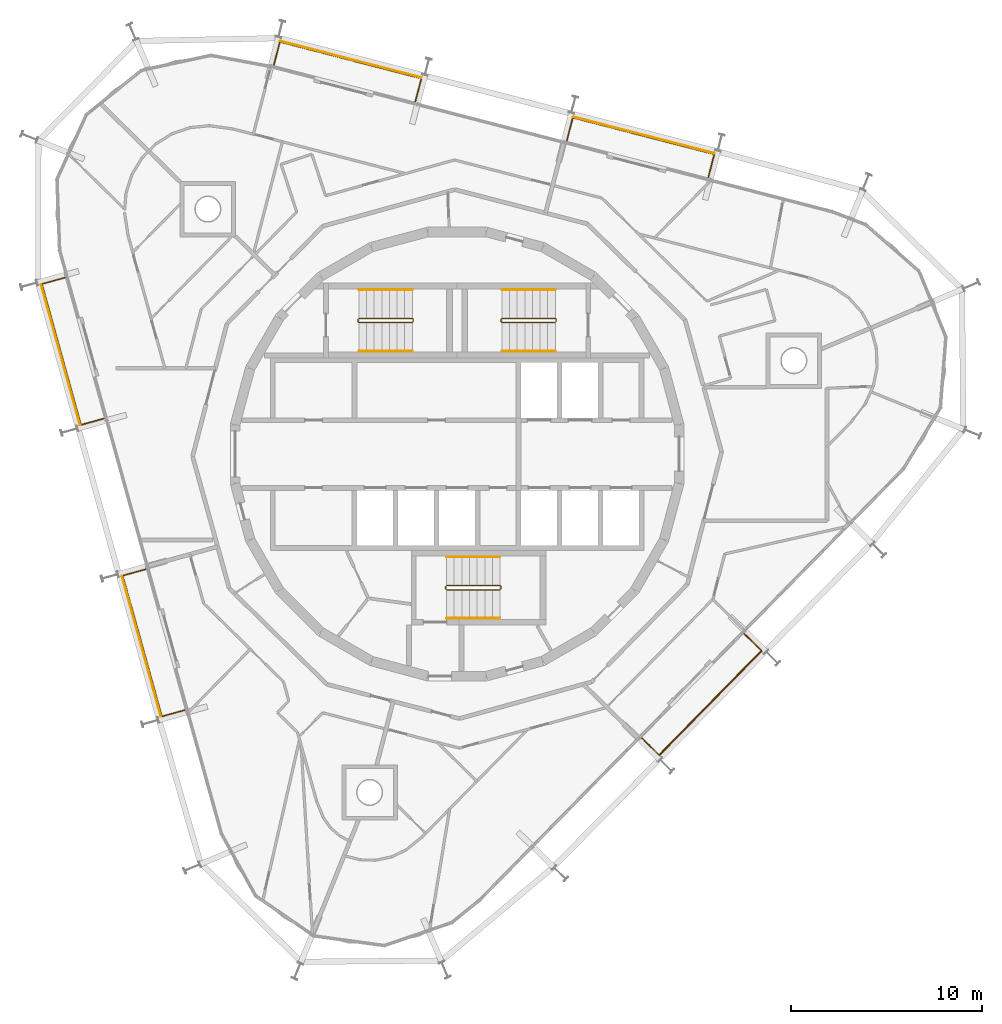
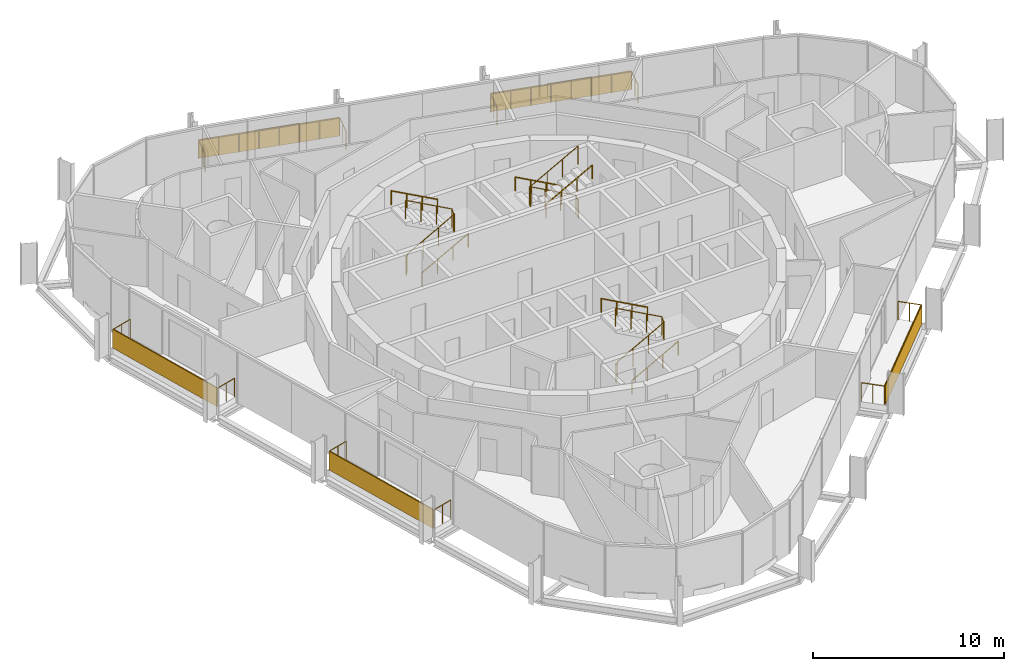
# One storey, part 15 of 15: 14 railings, 5 shading devices.
"""IFC4 building model written with IfcOpenShell, lengths in metres."""

from ifc_helpers import new_model, si_unit, direction, frame, origin, origin_2d, place, context, subcontext, project, spatial, rectangle, circle, extrude, material, layer, layer_set, type_object, element, save


model = new_model("IFC4")

# Units and contexts
model_context = context("Model", 3, precision=1e-05, world=origin(), true_north=direction((0.0, 1.0)))
body_context = subcontext(model_context, "Body", "Model", "MODEL_VIEW")
ifc_project = project(units=[si_unit("LENGTHUNIT", "METRE"), si_unit("AREAUNIT", "SQUARE_METRE"), si_unit("VOLUMEUNIT", "CUBIC_METRE"), si_unit("PLANEANGLEUNIT", "RADIAN"), si_unit("MASSUNIT", "GRAM", prefix="KILO")], contexts=[model_context])

# Site, building, storey
site_placement = place(None, origin())
site = spatial("IfcSite", under=ifc_project, at=site_placement, CompositionType="ELEMENT")
building_placement = place(site_placement, origin())
building = spatial("IfcBuilding", under=site, at=building_placement, Name="Spindle Arch Residences", CompositionType="ELEMENT")
storey_placement = place(building_placement, frame((0.0, 0.0, 322.699951171875)))
storey = spatial("IfcBuildingStorey", under=building, at=storey_placement, Name="L83", CompositionType="ELEMENT", Elevation=322.699951171875)

# Railings
ifc_material_1 = material(Name="Bronze anodised aluminium guard with glass infill", Category="aluminium")
railing_type_1 = type_object("IfcRailingType", Name="Balcony guard 1200", PredefinedType="GUARDRAIL", material=ifc_material_1)
railing_1_placement = place(storey_placement, frame((13.17724609375, 14.517822265625, 0.0)))
element("IfcRailing", 1, at=railing_1_placement, inside=storey, type_object=railing_type_1, Name="Guard L83 bay 6", PredefinedType="GUARDRAIL", context=body_context, shape_type="SweptSolid", body=[
    extrude(circle(Radius=0.02392578125, at=origin_2d()), frame((0.0, 0.0, 1.17578125), z_axis=(0.250385978254, 0.968146095325, 0.0), x_axis=(-0.968146095325, 0.250385978254, 0.0)), (0.0, 0.0, 1.0), 1.25),
    extrude(circle(Radius=0.02392578125, at=origin_2d()), frame((0.31298828125, 1.210205078125, 1.17578125), z_axis=(-0.968154898372, 0.250351937795, 0.0), x_axis=(-0.250351937795, -0.968154898372, 0.0)), (0.0, 0.0, 1.0), 7.6650390625),
    extrude(circle(Radius=0.02392578125, at=origin_2d()), frame((-7.10791015625, 3.129150390625, 1.17578125), z_axis=(-0.250433331774, -0.968133847325, 0.0), x_axis=(0.968133847325, -0.250433331774, 0.0)), (0.0, 0.0, 1.0), 1.249755859375),
    extrude(circle(Radius=0.02099609375, at=origin_2d()), origin(), (0.0, 0.0, 1.0), 1.15185546875),
    extrude(circle(Radius=0.02099609375, at=origin_2d()), frame((0.156494140625, 0.60498046875, 0.0)), (0.0, 0.0, 1.0), 1.15185546875),
    extrude(circle(Radius=0.02099609375, at=origin_2d()), frame((0.31298828125, 1.210205078125, 0.0)), (0.0, 0.0, 1.0), 1.15185546875),
    extrude(circle(Radius=0.02099609375, at=origin_2d()), frame((-0.7470703125, 1.484375, 0.0)), (0.0, 0.0, 1.0), 1.15185546875),
    extrude(circle(Radius=0.02099609375, at=origin_2d()), frame((-1.807373046875, 1.758544921875, 0.0)), (0.0, 0.0, 1.0), 1.15185546875),
    extrude(circle(Radius=0.02099609375, at=origin_2d()), frame((-2.867431640625, 2.03271484375, 0.0)), (0.0, 0.0, 1.0), 1.15185546875),
    extrude(circle(Radius=0.02099609375, at=origin_2d()), frame((-3.927490234375, 2.306640625, 0.0)), (0.0, 0.0, 1.0), 1.15185546875),
    extrude(circle(Radius=0.02099609375, at=origin_2d()), frame((-4.987548828125, 2.580810546875, 0.0)), (0.0, 0.0, 1.0), 1.15185546875),
    extrude(circle(Radius=0.02099609375, at=origin_2d()), frame((-6.0478515625, 2.85498046875, 0.0)), (0.0, 0.0, 1.0), 1.15185546875),
    extrude(circle(Radius=0.02099609375, at=origin_2d()), frame((-7.10791015625, 3.129150390625, 0.0)), (0.0, 0.0, 1.0), 1.15185546875),
    extrude(circle(Radius=0.02099609375, at=origin_2d()), frame((-7.264404296875, 2.524169921875, 0.0)), (0.0, 0.0, 1.0), 1.15185546875),
    extrude(circle(Radius=0.02099609375, at=origin_2d()), frame((-7.4208984375, 1.919189453125, 0.0)), (0.0, 0.0, 1.0), 1.15185546875),
])
railing_2_placement = place(storey_placement, frame((-2.1875, 18.4912109375, 0.0)))
element("IfcRailing", 2, at=railing_2_placement, inside=storey, type_object=railing_type_1, Name="Guard L83 bay 8", PredefinedType="GUARDRAIL", context=body_context, shape_type="SweptSolid", body=[
    extrude(circle(Radius=0.02392578125, at=origin_2d()), frame((0.0, 0.0, 1.17578125), z_axis=(0.250385978254, 0.968146095325, 0.0), x_axis=(-0.968146095325, 0.250385978254, 0.0)), (0.0, 0.0, 1.0), 1.25),
    extrude(circle(Radius=0.02392578125, at=origin_2d()), frame((0.31298828125, 1.210205078125, 1.17578125), z_axis=(-0.968147177851, 0.250381792508, 0.0), x_axis=(-0.250381792508, -0.968147177851, 0.0)), (0.0, 0.0, 1.0), 7.6650390625),
    extrude(circle(Radius=0.02392578125, at=origin_2d()), frame((-7.10791015625, 3.12939453125, 1.17578125), z_axis=(-0.250385978254, -0.968146095325, 0.0), x_axis=(0.968146095325, -0.250385978254, 0.0)), (0.0, 0.0, 1.0), 1.25),
    extrude(circle(Radius=0.02099609375, at=origin_2d()), origin(), (0.0, 0.0, 1.0), 1.15185546875),
    extrude(circle(Radius=0.02099609375, at=origin_2d()), frame((0.156494140625, 0.60498046875, 0.0)), (0.0, 0.0, 1.0), 1.15185546875),
    extrude(circle(Radius=0.02099609375, at=origin_2d()), frame((0.31298828125, 1.210205078125, 0.0)), (0.0, 0.0, 1.0), 1.15185546875),
    extrude(circle(Radius=0.02099609375, at=origin_2d()), frame((-0.7470703125, 1.484375, 0.0)), (0.0, 0.0, 1.0), 1.15185546875),
    extrude(circle(Radius=0.02099609375, at=origin_2d()), frame((-1.807373046875, 1.758544921875, 0.0)), (0.0, 0.0, 1.0), 1.15185546875),
    extrude(circle(Radius=0.02099609375, at=origin_2d()), frame((-2.867431640625, 2.03271484375, 0.0)), (0.0, 0.0, 1.0), 1.15185546875),
    extrude(circle(Radius=0.02099609375, at=origin_2d()), frame((-3.927490234375, 2.306884765625, 0.0)), (0.0, 0.0, 1.0), 1.15185546875),
    extrude(circle(Radius=0.02099609375, at=origin_2d()), frame((-4.987548828125, 2.5810546875, 0.0)), (0.0, 0.0, 1.0), 1.15185546875),
    extrude(circle(Radius=0.02099609375, at=origin_2d()), frame((-6.0478515625, 2.855224609375, 0.0)), (0.0, 0.0, 1.0), 1.15185546875),
    extrude(circle(Radius=0.02099609375, at=origin_2d()), frame((-7.10791015625, 3.12939453125, 0.0)), (0.0, 0.0, 1.0), 1.15185546875),
    extrude(circle(Radius=0.02099609375, at=origin_2d()), frame((-7.264404296875, 2.5244140625, 0.0)), (0.0, 0.0, 1.0), 1.15185546875),
    extrude(circle(Radius=0.02099609375, at=origin_2d()), frame((-7.4208984375, 1.919189453125, 0.0)), (0.0, 0.0, 1.0), 1.15185546875),
])
railing_3_placement = place(storey_placement, frame((-20.574951171875, 9.250732421875, 0.0)))
element("IfcRailing", 3, at=railing_3_placement, inside=storey, type_object=railing_type_1, Name="Guard L83 bay 12", PredefinedType="GUARDRAIL", context=body_context, shape_type="SweptSolid", body=[
    extrude(circle(Radius=0.02392578125, at=origin_2d()), frame((0.0, 0.0, 1.17578125), z_axis=(-0.963596211055, -0.267361818592, 0.0), x_axis=(0.267361818592, -0.963596211055, 0.0)), (0.0, 0.0, 1.0), 1.25),
    extrude(circle(Radius=0.02392578125, at=origin_2d()), frame((-1.20458984375, -0.334228515625, 1.17578125), z_axis=(0.267233148219, -0.963631903007, 0.0), x_axis=(0.963631903007, 0.267233148219, 0.0)), (0.0, 0.0, 1.0), 7.6650390625),
    extrude(circle(Radius=0.02392578125, at=origin_2d()), frame((0.84375, -7.720458984375, 1.17578125), z_axis=(0.963646510798, 0.267180467526, 0.0), x_axis=(-0.267180467526, 0.963646510798, 0.0)), (0.0, 0.0, 1.0), 1.25),
    extrude(circle(Radius=0.02099609375, at=origin_2d()), origin(), (0.0, 0.0, 1.0), 1.15185546875),
    extrude(circle(Radius=0.02099609375, at=origin_2d()), frame((-0.602294921875, -0.1669921875, 0.0)), (0.0, 0.0, 1.0), 1.15185546875),
    extrude(circle(Radius=0.02099609375, at=origin_2d()), frame((-1.20458984375, -0.334228515625, 0.0)), (0.0, 0.0, 1.0), 1.15185546875),
    extrude(circle(Radius=0.02099609375, at=origin_2d()), frame((-0.911865234375, -1.389404296875, 0.0)), (0.0, 0.0, 1.0), 1.15185546875),
    extrude(circle(Radius=0.02099609375, at=origin_2d()), frame((-0.619384765625, -2.444580078125, 0.0)), (0.0, 0.0, 1.0), 1.15185546875),
    extrude(circle(Radius=0.02099609375, at=origin_2d()), frame((-0.32666015625, -3.499755859375, 0.0)), (0.0, 0.0, 1.0), 1.15185546875),
    extrude(circle(Radius=0.02099609375, at=origin_2d()), frame((-0.0341796875, -4.554931640625, 0.0)), (0.0, 0.0, 1.0), 1.15185546875),
    extrude(circle(Radius=0.02099609375, at=origin_2d()), frame((0.258544921875, -5.610107421875, 0.0)), (0.0, 0.0, 1.0), 1.15185546875),
    extrude(circle(Radius=0.02099609375, at=origin_2d()), frame((0.551025390625, -6.665283203125, 0.0)), (0.0, 0.0, 1.0), 1.15185546875),
    extrude(circle(Radius=0.02099609375, at=origin_2d()), frame((0.84375, -7.720458984375, 0.0)), (0.0, 0.0, 1.0), 1.15185546875),
    extrude(circle(Radius=0.02099609375, at=origin_2d()), frame((1.446044921875, -7.553466796875, 0.0)), (0.0, 0.0, 1.0), 1.15185546875),
    extrude(circle(Radius=0.02099609375, at=origin_2d()), frame((2.04833984375, -7.386474609375, 0.0)), (0.0, 0.0, 1.0), 1.15185546875),
])
railing_4_placement = place(storey_placement, frame((-16.333984375, -6.042236328125, 0.0)))
element("IfcRailing", 4, at=railing_4_placement, inside=storey, type_object=railing_type_1, Name="Guard L83 bay 14", PredefinedType="GUARDRAIL", context=body_context, shape_type="SweptSolid", body=[
    extrude(circle(Radius=0.02392578125, at=origin_2d()), frame((0.0, 0.0, 1.17578125), z_axis=(-0.963596211055, -0.267361818592, 0.0), x_axis=(0.267361818592, -0.963596211055, 0.0)), (0.0, 0.0, 1.0), 1.25),
    extrude(circle(Radius=0.02392578125, at=origin_2d()), frame((-1.20458984375, -0.334228515625, 1.17578125), z_axis=(0.267262724609, -0.963623700432, 0.0), x_axis=(0.963623700432, 0.267262724609, 0.0)), (0.0, 0.0, 1.0), 7.6650390625),
    extrude(circle(Radius=0.02392578125, at=origin_2d()), frame((0.843994140625, -7.720458984375, 1.17578125), z_axis=(0.963632564766, 0.26723076193, 0.0), x_axis=(-0.26723076193, 0.963632564766, 0.0)), (0.0, 0.0, 1.0), 1.249755859375),
    extrude(circle(Radius=0.02099609375, at=origin_2d()), origin(), (0.0, 0.0, 1.0), 1.15185546875),
    extrude(circle(Radius=0.02099609375, at=origin_2d()), frame((-0.602294921875, -0.1669921875, 0.0)), (0.0, 0.0, 1.0), 1.15185546875),
    extrude(circle(Radius=0.02099609375, at=origin_2d()), frame((-1.20458984375, -0.334228515625, 0.0)), (0.0, 0.0, 1.0), 1.15185546875),
    extrude(circle(Radius=0.02099609375, at=origin_2d()), frame((-0.911865234375, -1.389404296875, 0.0)), (0.0, 0.0, 1.0), 1.15185546875),
    extrude(circle(Radius=0.02099609375, at=origin_2d()), frame((-0.619384765625, -2.444580078125, 0.0)), (0.0, 0.0, 1.0), 1.15185546875),
    extrude(circle(Radius=0.02099609375, at=origin_2d()), frame((-0.32666015625, -3.499755859375, 0.0)), (0.0, 0.0, 1.0), 1.15185546875),
    extrude(circle(Radius=0.02099609375, at=origin_2d()), frame((-0.033935546875, -4.554931640625, 0.0)), (0.0, 0.0, 1.0), 1.15185546875),
    extrude(circle(Radius=0.02099609375, at=origin_2d()), frame((0.2587890625, -5.610107421875, 0.0)), (0.0, 0.0, 1.0), 1.15185546875),
    extrude(circle(Radius=0.02099609375, at=origin_2d()), frame((0.55126953125, -6.665283203125, 0.0)), (0.0, 0.0, 1.0), 1.15185546875),
    extrude(circle(Radius=0.02099609375, at=origin_2d()), frame((0.843994140625, -7.720458984375, 0.0)), (0.0, 0.0, 1.0), 1.15185546875),
    extrude(circle(Radius=0.02099609375, at=origin_2d()), frame((1.4462890625, -7.553466796875, 0.0)), (0.0, 0.0, 1.0), 1.15185546875),
    extrude(circle(Radius=0.02099609375, at=origin_2d()), frame((2.04833984375, -7.386474609375, 0.0)), (0.0, 0.0, 1.0), 1.15185546875),
])
railing_5_placement = place(storey_placement, frame((9.69189453125, -14.8974609375, 0.0)))
element("IfcRailing", 5, at=railing_5_placement, inside=storey, type_object=railing_type_1, Name="Guard L83 bay 20", PredefinedType="GUARDRAIL", context=body_context, shape_type="SweptSolid", body=[
    extrude(circle(Radius=0.02392578125, at=origin_2d()), frame((0.0, 0.0, 1.17578125), z_axis=(0.713231937859, -0.700928101034, 0.0), x_axis=(0.700928101034, 0.713231937859, 0.0)), (0.0, 0.0, 1.0), 1.25),
    extrude(circle(Radius=0.02392578125, at=origin_2d()), frame((0.8916015625, -0.876220703125, 1.17578125), z_axis=(0.700916720912, 0.713243121485, 0.0), x_axis=(-0.713243121485, 0.700916720912, 0.0)), (0.0, 0.0, 1.0), 7.6650390625),
    extrude(circle(Radius=0.02392578125, at=origin_2d()), frame((6.26416015625, 4.5908203125, 1.17578125), z_axis=(-0.713231937859, 0.700928101034, 0.0), x_axis=(-0.700928101034, -0.713231937859, 0.0)), (0.0, 0.0, 1.0), 1.25),
    extrude(circle(Radius=0.02099609375, at=origin_2d()), origin(), (0.0, 0.0, 1.0), 1.15185546875),
    extrude(circle(Radius=0.02099609375, at=origin_2d()), frame((0.44580078125, -0.43798828125, 0.0)), (0.0, 0.0, 1.0), 1.15185546875),
    extrude(circle(Radius=0.02099609375, at=origin_2d()), frame((0.8916015625, -0.876220703125, 0.0)), (0.0, 0.0, 1.0), 1.15185546875),
    extrude(circle(Radius=0.02099609375, at=origin_2d()), frame((1.6591796875, -0.09521484375, 0.0)), (0.0, 0.0, 1.0), 1.15185546875),
    extrude(circle(Radius=0.02099609375, at=origin_2d()), frame((2.426513671875, 0.685791015625, 0.0)), (0.0, 0.0, 1.0), 1.15185546875),
    extrude(circle(Radius=0.02099609375, at=origin_2d()), frame((3.194091796875, 1.466796875, 0.0)), (0.0, 0.0, 1.0), 1.15185546875),
    extrude(circle(Radius=0.02099609375, at=origin_2d()), frame((3.961669921875, 2.247802734375, 0.0)), (0.0, 0.0, 1.0), 1.15185546875),
    extrude(circle(Radius=0.02099609375, at=origin_2d()), frame((4.729248046875, 3.02880859375, 0.0)), (0.0, 0.0, 1.0), 1.15185546875),
    extrude(circle(Radius=0.02099609375, at=origin_2d()), frame((5.49658203125, 3.809814453125, 0.0)), (0.0, 0.0, 1.0), 1.15185546875),
    extrude(circle(Radius=0.02099609375, at=origin_2d()), frame((6.26416015625, 4.5908203125, 0.0)), (0.0, 0.0, 1.0), 1.15185546875),
    extrude(circle(Radius=0.02099609375, at=origin_2d()), frame((5.818359375, 5.02880859375, 0.0)), (0.0, 0.0, 1.0), 1.15185546875),
    extrude(circle(Radius=0.02099609375, at=origin_2d()), frame((5.37255859375, 5.467041015625, 0.0)), (0.0, 0.0, 1.0), 1.15185546875),
])

# Shading devices
ifc_material_2 = material(Name="Bronze perforated cobogo screen")
ifc_layer = layer(ifc_material_2, 0.0390625)
ifc_layer_set = layer_set([ifc_layer], Name="Cobogo screen 1200")
shading_device_type = type_object("IfcShadingDeviceType", Name="Cobogo screen 1200", PredefinedType="USERDEFINED", material=ifc_layer_set)
for number, where, z_axis, x_axis, name in (
    (6, (9.7900390625, 16.726806640625, 0.0), (0.0, 0.0, 1.0), (-0.968147640378, 0.250380004054, 0.0), "Cobogo screen L83 bay 6"),
    (7, (-5.57470703125, 20.7001953125, 0.0), (0.0, 0.0, 1.0), (-0.968147640378, 0.250380004054, 0.0), "Cobogo screen L83 bay 8"),
    (8, (-20.79443359375, 5.212646484375, 0.0), (0.0, 0.0, 1.0), (0.267238376078, -0.963630453209, 0.0), "Cobogo screen L83 bay 12"),
    (9, (-16.55322265625, -10.080322265625, 0.0), (0.0, 0.0, 1.0), (0.267238376078, -0.963630453209, 0.0), "Cobogo screen L83 bay 14"),
    (10, (13.298583984375, -13.068603515625, 0.0), (0.0, 0.0, 1.0), (0.7009092643, 0.713250449154, 0.0), "Cobogo screen L83 bay 20"),
):
    element("IfcShadingDevice", number, at=place(storey_placement, frame(where, z_axis=z_axis, x_axis=x_axis)), inside=storey, type_object=shading_device_type, Name=name, ObjectType="SCREEN", PredefinedType="USERDEFINED", context=body_context, shape_type="SweptSolid", body=[
        extrude(rectangle(XDim=7.6650390625, YDim=0.0390625, at=origin_2d()), origin(), (0.0, 0.0, 1.0), 1.199951171875),
    ])

# Railings
ifc_material_3 = material(Name="Steel, painted", Category="steel")
railing_type_2 = type_object("IfcRailingType", Name="Stair guard 1100", PredefinedType="GUARDRAIL", material=ifc_material_3)
railing_6_placement = place(storey_placement, frame((5.14990234375, 6.89990234375, 3.5)))
element("IfcRailing", 11, at=railing_6_placement, inside=storey, type_object=railing_type_2, Name="L83 ST1 stair guard 1", PredefinedType="GUARDRAIL", context=body_context, shape_type="SweptSolid", body=[
    extrude(circle(Radius=0.02392578125, at=origin_2d()), frame((0.0, 0.0, 1.17578125), z_axis=(-0.877357048833, 0.0, -0.479838106931), x_axis=(0.0, -1.0, 0.0)), (0.0, 0.0, 1.0), 3.191162109375),
    extrude(circle(Radius=0.02392578125, at=origin_2d()), frame((-2.7998046875, 0.0, -0.35546875), z_axis=(-0.217683172539, 0.217683172539, -0.951434744366), x_axis=(-0.707106781187, -0.707106781187, 0.0)), (0.0, 0.0, 1.0), 0.22998046875),
    extrude(circle(Radius=0.02392578125, at=origin_2d()), frame((-2.849853515625, 0.050048828125, -0.57421875), z_axis=(0.0, 1.0, 0.0), x_axis=(-1.0, 0.0, 0.0)), (0.0, 0.0, 1.0), 0.1201171875),
    extrude(circle(Radius=0.02392578125, at=origin_2d()), frame((-2.849853515625, 0.170166015625, -0.57421875), z_axis=(0.707106781187, 0.707106781187, 0.0), x_axis=(-0.707106781187, 0.707106781187, 0.0)), (0.0, 0.0, 1.0), 0.07080078125),
    extrude(circle(Radius=0.02392578125, at=origin_2d()), frame((-2.7998046875, 0.22021484375, -0.57421875), z_axis=(0.877357048833, 0.0, -0.479838106931), x_axis=(0.0, 1.0, 0.0)), (0.0, 0.0, 1.0), 3.191162109375),
    extrude(circle(Radius=0.02392578125, at=origin_2d()), frame((0.0, 0.22021484375, -2.10546875), z_axis=(0.217683172539, -0.217683172539, -0.951434744366), x_axis=(0.707106781187, 0.707106781187, 0.0)), (0.0, 0.0, 1.0), 0.22998046875),
    extrude(circle(Radius=0.02392578125, at=origin_2d()), frame((0.050048828125, 0.170166015625, -2.32421875), z_axis=(0.0, -1.0, 0.0), x_axis=(1.0, 0.0, 0.0)), (0.0, 0.0, 1.0), 0.1201171875),
    extrude(circle(Radius=0.02099609375, at=origin_2d()), origin(), (0.0, 0.0, 1.0), 1.15185546875),
    extrude(circle(Radius=0.02099609375, at=origin_2d()), frame((-0.933349609375, 0.0, -0.510498046875)), (0.0, 0.0, 1.0), 1.15185546875),
    extrude(circle(Radius=0.02099609375, at=origin_2d()), frame((-1.866455078125, 0.0, -1.020751953125)), (0.0, 0.0, 1.0), 1.15185546875),
    extrude(circle(Radius=0.02099609375, at=origin_2d()), frame((-2.7998046875, 0.0, -1.53125)), (0.0, 0.0, 1.0), 1.15185546875),
    extrude(circle(Radius=0.02099609375, at=origin_2d()), frame((-2.849853515625, 0.050048828125, -1.75)), (0.0, 0.0, 1.0), 1.15185546875),
    extrude(circle(Radius=0.02099609375, at=origin_2d()), frame((-2.849853515625, 0.170166015625, -1.75)), (0.0, 0.0, 1.0), 1.15185546875),
    extrude(circle(Radius=0.02099609375, at=origin_2d()), frame((-2.7998046875, 0.22021484375, -1.75)), (0.0, 0.0, 1.0), 1.15185546875),
    extrude(circle(Radius=0.02099609375, at=origin_2d()), frame((-1.866455078125, 0.22021484375, -2.260498046875)), (0.0, 0.0, 1.0), 1.15185546875),
    extrude(circle(Radius=0.02099609375, at=origin_2d()), frame((-0.933349609375, 0.22021484375, -2.770751953125)), (0.0, 0.0, 1.0), 1.15185546875),
    extrude(circle(Radius=0.02099609375, at=origin_2d()), frame((0.0, 0.22021484375, -3.28125)), (0.0, 0.0, 1.0), 1.15185546875),
    extrude(circle(Radius=0.02099609375, at=origin_2d()), frame((0.050048828125, 0.170166015625, -3.5)), (0.0, 0.0, 1.0), 1.15185546875),
    extrude(circle(Radius=0.02099609375, at=origin_2d()), frame((0.050048828125, 0.050048828125, -3.5)), (0.0, 0.0, 1.0), 1.15185546875),
])
railing_7_placement = place(storey_placement, frame((-5.14990234375, 7.1201171875, 3.5)))
element("IfcRailing", 12, at=railing_7_placement, inside=storey, type_object=railing_type_2, Name="L83 ST2 stair guard 1", PredefinedType="GUARDRAIL", context=body_context, shape_type="SweptSolid", body=[
    extrude(circle(Radius=0.02392578125, at=origin_2d()), frame((0.0, 0.0, 1.17578125), z_axis=(0.877357048833, 0.0, -0.479838106931), x_axis=(0.0, 1.0, 0.0)), (0.0, 0.0, 1.0), 3.191162109375),
    extrude(circle(Radius=0.02392578125, at=origin_2d()), frame((2.7998046875, 0.0, -0.35546875), z_axis=(0.217683172539, -0.217683172539, -0.951434744366), x_axis=(0.707106781187, 0.707106781187, 0.0)), (0.0, 0.0, 1.0), 0.22998046875),
    extrude(circle(Radius=0.02392578125, at=origin_2d()), frame((2.849853515625, -0.050048828125, -0.57421875), z_axis=(0.0, -1.0, 0.0), x_axis=(1.0, 0.0, 0.0)), (0.0, 0.0, 1.0), 0.1201171875),
    extrude(circle(Radius=0.02392578125, at=origin_2d()), frame((2.849853515625, -0.170166015625, -0.57421875), z_axis=(-0.707106781187, -0.707106781187, 0.0), x_axis=(0.707106781187, -0.707106781187, 0.0)), (0.0, 0.0, 1.0), 0.07080078125),
    extrude(circle(Radius=0.02392578125, at=origin_2d()), frame((2.7998046875, -0.22021484375, -0.57421875), z_axis=(-0.877357048833, 0.0, -0.479838106931), x_axis=(0.0, -1.0, 0.0)), (0.0, 0.0, 1.0), 3.191162109375),
    extrude(circle(Radius=0.02392578125, at=origin_2d()), frame((0.0, -0.22021484375, -2.10546875), z_axis=(-0.217683172539, 0.217683172539, -0.951434744366), x_axis=(-0.707106781187, -0.707106781187, 0.0)), (0.0, 0.0, 1.0), 0.22998046875),
    extrude(circle(Radius=0.02392578125, at=origin_2d()), frame((-0.050048828125, -0.170166015625, -2.32421875), z_axis=(0.0, 1.0, 0.0), x_axis=(-1.0, 0.0, 0.0)), (0.0, 0.0, 1.0), 0.1201171875),
    extrude(circle(Radius=0.02099609375, at=origin_2d()), origin(), (0.0, 0.0, 1.0), 1.15185546875),
    extrude(circle(Radius=0.02099609375, at=origin_2d()), frame((0.933349609375, 0.0, -0.510498046875)), (0.0, 0.0, 1.0), 1.15185546875),
    extrude(circle(Radius=0.02099609375, at=origin_2d()), frame((1.866455078125, 0.0, -1.020751953125)), (0.0, 0.0, 1.0), 1.15185546875),
    extrude(circle(Radius=0.02099609375, at=origin_2d()), frame((2.7998046875, 0.0, -1.53125)), (0.0, 0.0, 1.0), 1.15185546875),
    extrude(circle(Radius=0.02099609375, at=origin_2d()), frame((2.849853515625, -0.050048828125, -1.75)), (0.0, 0.0, 1.0), 1.15185546875),
    extrude(circle(Radius=0.02099609375, at=origin_2d()), frame((2.849853515625, -0.170166015625, -1.75)), (0.0, 0.0, 1.0), 1.15185546875),
    extrude(circle(Radius=0.02099609375, at=origin_2d()), frame((2.7998046875, -0.22021484375, -1.75)), (0.0, 0.0, 1.0), 1.15185546875),
    extrude(circle(Radius=0.02099609375, at=origin_2d()), frame((1.866455078125, -0.22021484375, -2.260498046875)), (0.0, 0.0, 1.0), 1.15185546875),
    extrude(circle(Radius=0.02099609375, at=origin_2d()), frame((0.933349609375, -0.22021484375, -2.770751953125)), (0.0, 0.0, 1.0), 1.15185546875),
    extrude(circle(Radius=0.02099609375, at=origin_2d()), frame((0.0, -0.22021484375, -3.28125)), (0.0, 0.0, 1.0), 1.15185546875),
    extrude(circle(Radius=0.02099609375, at=origin_2d()), frame((-0.050048828125, -0.170166015625, -3.5)), (0.0, 0.0, 1.0), 1.15185546875),
    extrude(circle(Radius=0.02099609375, at=origin_2d()), frame((-0.050048828125, -0.050048828125, -3.5)), (0.0, 0.0, 1.0), 1.15185546875),
])
railing_8_placement = place(storey_placement, frame((-0.550048828125, -6.89990234375, 3.5)))
element("IfcRailing", 13, at=railing_8_placement, inside=storey, type_object=railing_type_2, Name="L83 ST3 stair guard 1", PredefinedType="GUARDRAIL", context=body_context, shape_type="SweptSolid", body=[
    extrude(circle(Radius=0.02392578125, at=origin_2d()), frame((0.0, 0.0, 1.17578125), z_axis=(0.877374661878, 0.0, -0.479805901063), x_axis=(0.0, 1.0, 0.0)), (0.0, 0.0, 1.0), 3.19140625),
    extrude(circle(Radius=0.02392578125, at=origin_2d()), frame((2.800048828125, 0.0, -0.35546875), z_axis=(0.217683172539, -0.217683172539, -0.951434744366), x_axis=(0.707106781187, 0.707106781187, 0.0)), (0.0, 0.0, 1.0), 0.22998046875),
    extrude(circle(Radius=0.02392578125, at=origin_2d()), frame((2.85009765625, -0.050048828125, -0.57421875), z_axis=(0.0, -1.0, 0.0), x_axis=(1.0, 0.0, 0.0)), (0.0, 0.0, 1.0), 0.1201171875),
    extrude(circle(Radius=0.02392578125, at=origin_2d()), frame((2.85009765625, -0.170166015625, -0.57421875), z_axis=(-0.707106781187, -0.707106781187, 0.0), x_axis=(0.707106781187, -0.707106781187, 0.0)), (0.0, 0.0, 1.0), 0.07080078125),
    extrude(circle(Radius=0.02392578125, at=origin_2d()), frame((2.800048828125, -0.22021484375, -0.57421875), z_axis=(-0.877374661878, 0.0, -0.479805901063), x_axis=(0.0, -1.0, 0.0)), (0.0, 0.0, 1.0), 3.19140625),
    extrude(circle(Radius=0.02392578125, at=origin_2d()), frame((0.0, -0.22021484375, -2.10546875), z_axis=(-0.217683172539, 0.217683172539, -0.951434744366), x_axis=(-0.707106781187, -0.707106781187, 0.0)), (0.0, 0.0, 1.0), 0.22998046875),
    extrude(circle(Radius=0.02392578125, at=origin_2d()), frame((-0.050048828125, -0.170166015625, -2.32421875), z_axis=(0.0, 1.0, 0.0), x_axis=(-1.0, 0.0, 0.0)), (0.0, 0.0, 1.0), 0.1201171875),
    extrude(circle(Radius=0.02099609375, at=origin_2d()), origin(), (0.0, 0.0, 1.0), 1.15185546875),
    extrude(circle(Radius=0.02099609375, at=origin_2d()), frame((0.933349609375, 0.0, -0.510498046875)), (0.0, 0.0, 1.0), 1.15185546875),
    extrude(circle(Radius=0.02099609375, at=origin_2d()), frame((1.86669921875, 0.0, -1.020751953125)), (0.0, 0.0, 1.0), 1.15185546875),
    extrude(circle(Radius=0.02099609375, at=origin_2d()), frame((2.800048828125, 0.0, -1.53125)), (0.0, 0.0, 1.0), 1.15185546875),
    extrude(circle(Radius=0.02099609375, at=origin_2d()), frame((2.85009765625, -0.050048828125, -1.75)), (0.0, 0.0, 1.0), 1.15185546875),
    extrude(circle(Radius=0.02099609375, at=origin_2d()), frame((2.85009765625, -0.170166015625, -1.75)), (0.0, 0.0, 1.0), 1.15185546875),
    extrude(circle(Radius=0.02099609375, at=origin_2d()), frame((2.800048828125, -0.22021484375, -1.75)), (0.0, 0.0, 1.0), 1.15185546875),
    extrude(circle(Radius=0.02099609375, at=origin_2d()), frame((1.86669921875, -0.22021484375, -2.260498046875)), (0.0, 0.0, 1.0), 1.15185546875),
    extrude(circle(Radius=0.02099609375, at=origin_2d()), frame((0.933349609375, -0.22021484375, -2.770751953125)), (0.0, 0.0, 1.0), 1.15185546875),
    extrude(circle(Radius=0.02099609375, at=origin_2d()), frame((0.0, -0.22021484375, -3.28125)), (0.0, 0.0, 1.0), 1.15185546875),
    extrude(circle(Radius=0.02099609375, at=origin_2d()), frame((-0.050048828125, -0.170166015625, -3.5)), (0.0, 0.0, 1.0), 1.15185546875),
    extrude(circle(Radius=0.02099609375, at=origin_2d()), frame((-0.050048828125, -0.050048828125, -3.5)), (0.0, 0.0, 1.0), 1.15185546875),
])
ifc_material_4 = material(Name="Steel, painted", Category="steel")
railing_type_3 = type_object("IfcRailingType", Name="Stair handrail 900", PredefinedType="HANDRAIL", material=ifc_material_4)
railing_9_placement = place(storey_placement, frame((5.14990234375, 8.6201171875, 0.21875)))
element("IfcRailing", 14, at=railing_9_placement, inside=storey, type_object=railing_type_3, Name="L83 ST1 stair handrail 1", PredefinedType="HANDRAIL", context=body_context, shape_type="SweptSolid", body=[
    extrude(circle(Radius=0.02392578125, at=origin_2d()), frame((0.0, 0.0, 0.8759765625), z_axis=(-0.877357048833, 0.0, 0.479838106931), x_axis=(0.0, -1.0, 0.0)), (0.0, 0.0, 1.0), 3.191162109375),
    extrude(circle(Radius=0.02099609375, at=origin_2d()), origin(), (0.0, 0.0, 1.0), 0.851806640625),
    extrude(circle(Radius=0.02099609375, at=origin_2d()), frame((-0.933349609375, 0.0, 0.510498046875)), (0.0, 0.0, 1.0), 0.851806640625),
    extrude(circle(Radius=0.02099609375, at=origin_2d()), frame((-1.866455078125, 0.0, 1.020751953125)), (0.0, 0.0, 1.0), 0.851806640625),
    extrude(circle(Radius=0.02099609375, at=origin_2d()), frame((-2.7998046875, 0.0, 1.53125)), (0.0, 0.0, 1.0), 0.851806640625),
])
for number, where, name in (
    (15, (2.35009765625, 5.39990234375, 1.96875), "L83 ST1 stair handrail 2"),
    (16, (-5.14990234375, 5.39990234375, 0.21875), "L83 ST2 stair handrail 1"),
):
    element("IfcRailing", number, at=place(storey_placement, frame(where)), inside=storey, type_object=railing_type_3, Name=name, PredefinedType="HANDRAIL", context=body_context, shape_type="SweptSolid", body=[
        extrude(circle(Radius=0.02392578125, at=origin_2d()), frame((0.0, 0.0, 0.8759765625), z_axis=(0.877357048833, 0.0, 0.479838106931), x_axis=(0.0, 1.0, 0.0)), (0.0, 0.0, 1.0), 3.191162109375),
        extrude(circle(Radius=0.02099609375, at=origin_2d()), origin(), (0.0, 0.0, 1.0), 0.851806640625),
        extrude(circle(Radius=0.02099609375, at=origin_2d()), frame((0.933349609375, 0.0, 0.510498046875)), (0.0, 0.0, 1.0), 0.851806640625),
        extrude(circle(Radius=0.02099609375, at=origin_2d()), frame((1.866455078125, 0.0, 1.020751953125)), (0.0, 0.0, 1.0), 0.851806640625),
        extrude(circle(Radius=0.02099609375, at=origin_2d()), frame((2.7998046875, 0.0, 1.53125)), (0.0, 0.0, 1.0), 0.851806640625),
    ])
railing_10_placement = place(storey_placement, frame((-2.35009765625, 8.6201171875, 1.96875)))
element("IfcRailing", 17, at=railing_10_placement, inside=storey, type_object=railing_type_3, Name="L83 ST2 stair handrail 2", PredefinedType="HANDRAIL", context=body_context, shape_type="SweptSolid", body=[
    extrude(circle(Radius=0.02392578125, at=origin_2d()), frame((0.0, 0.0, 0.8759765625), z_axis=(-0.877357048833, 0.0, 0.479838106931), x_axis=(0.0, -1.0, 0.0)), (0.0, 0.0, 1.0), 3.191162109375),
    extrude(circle(Radius=0.02099609375, at=origin_2d()), origin(), (0.0, 0.0, 1.0), 0.851806640625),
    extrude(circle(Radius=0.02099609375, at=origin_2d()), frame((-0.933349609375, 0.0, 0.510498046875)), (0.0, 0.0, 1.0), 0.851806640625),
    extrude(circle(Radius=0.02099609375, at=origin_2d()), frame((-1.866455078125, 0.0, 1.020751953125)), (0.0, 0.0, 1.0), 0.851806640625),
    extrude(circle(Radius=0.02099609375, at=origin_2d()), frame((-2.7998046875, 0.0, 1.53125)), (0.0, 0.0, 1.0), 0.851806640625),
])
railing_11_placement = place(storey_placement, frame((-0.550048828125, -8.6201171875, 0.21875)))
element("IfcRailing", 18, at=railing_11_placement, inside=storey, type_object=railing_type_3, Name="L83 ST3 stair handrail 1", PredefinedType="HANDRAIL", context=body_context, shape_type="SweptSolid", body=[
    extrude(circle(Radius=0.02392578125, at=origin_2d()), frame((0.0, 0.0, 0.8759765625), z_axis=(0.877374661878, 0.0, 0.479805901063), x_axis=(0.0, 1.0, 0.0)), (0.0, 0.0, 1.0), 3.19140625),
    extrude(circle(Radius=0.02099609375, at=origin_2d()), origin(), (0.0, 0.0, 1.0), 0.851806640625),
    extrude(circle(Radius=0.02099609375, at=origin_2d()), frame((0.933349609375, 0.0, 0.510498046875)), (0.0, 0.0, 1.0), 0.851806640625),
    extrude(circle(Radius=0.02099609375, at=origin_2d()), frame((1.86669921875, 0.0, 1.020751953125)), (0.0, 0.0, 1.0), 0.851806640625),
    extrude(circle(Radius=0.02099609375, at=origin_2d()), frame((2.800048828125, 0.0, 1.53125)), (0.0, 0.0, 1.0), 0.851806640625),
])
railing_12_placement = place(storey_placement, frame((2.25, -5.39990234375, 1.96875)))
element("IfcRailing", 19, at=railing_12_placement, inside=storey, type_object=railing_type_3, Name="L83 ST3 stair handrail 2", PredefinedType="HANDRAIL", context=body_context, shape_type="SweptSolid", body=[
    extrude(circle(Radius=0.02392578125, at=origin_2d()), frame((0.0, 0.0, 0.8759765625), z_axis=(-0.877374661878, 0.0, 0.479805901063), x_axis=(0.0, -1.0, 0.0)), (0.0, 0.0, 1.0), 3.19140625),
    extrude(circle(Radius=0.02099609375, at=origin_2d()), origin(), (0.0, 0.0, 1.0), 0.851806640625),
    extrude(circle(Radius=0.02099609375, at=origin_2d()), frame((-0.933349609375, 0.0, 0.510498046875)), (0.0, 0.0, 1.0), 0.851806640625),
    extrude(circle(Radius=0.02099609375, at=origin_2d()), frame((-1.86669921875, 0.0, 1.020751953125)), (0.0, 0.0, 1.0), 0.851806640625),
    extrude(circle(Radius=0.02099609375, at=origin_2d()), frame((-2.800048828125, 0.0, 1.53125)), (0.0, 0.0, 1.0), 0.851806640625),
])

save(model, "model.ifc")
